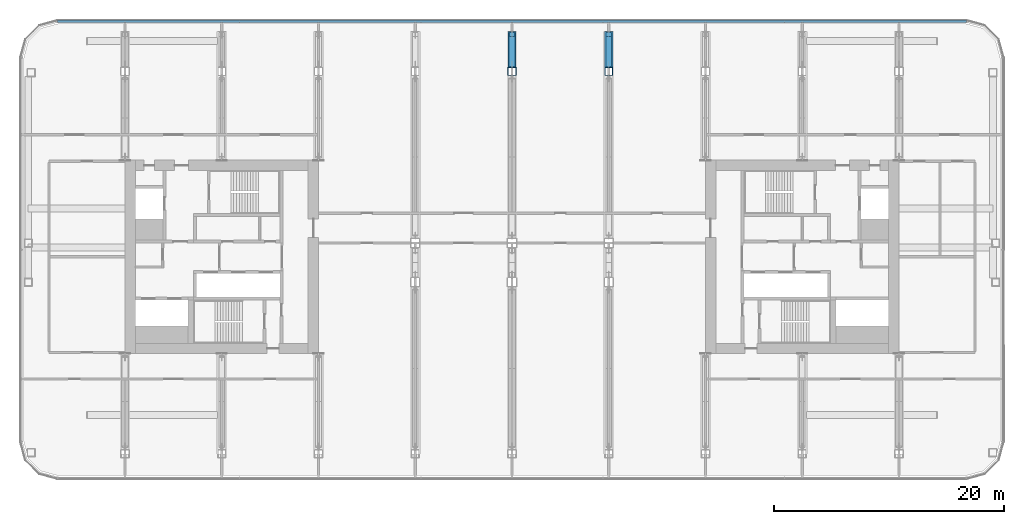
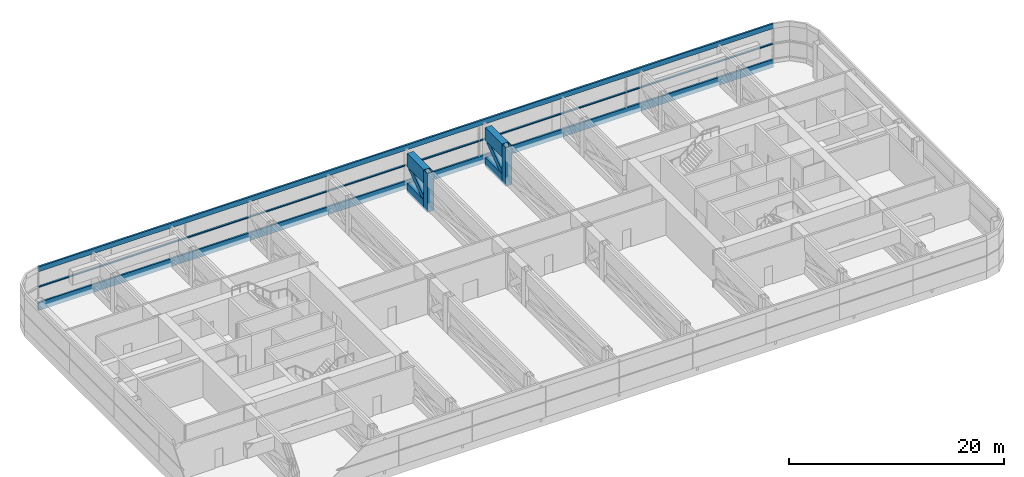
# One storey, part 9 of 33: 11 members, 1 element without a shape of its own.
"""IFC4 building model written with IfcOpenShell, lengths in metres."""

from ifc_helpers import new_model, si_unit, direction, frame, origin, origin_2d, place, context, subcontext, project, spatial, rectangle, hollow_rectangle, extrude, material, layer, layer_set, material_profile, profile_set, type_object, element, aggregate, save


model = new_model("IFC4")

# Units and contexts
model_context = context("Model", 3, precision=1e-05, world=origin(), true_north=direction((0.0, 1.0)))
body_context = subcontext(model_context, "Body", "Model", "MODEL_VIEW")
ifc_project = project(units=[si_unit("LENGTHUNIT", "METRE"), si_unit("AREAUNIT", "SQUARE_METRE"), si_unit("VOLUMEUNIT", "CUBIC_METRE"), si_unit("PLANEANGLEUNIT", "RADIAN"), si_unit("MASSUNIT", "GRAM", prefix="KILO")], contexts=[model_context])

# Site, building, storey
site_placement = place(None, origin())
site = spatial("IfcSite", under=ifc_project, at=site_placement, CompositionType="ELEMENT")
building_placement = place(site_placement, origin())
building = spatial("IfcBuilding", under=site, at=building_placement, Name="Hakoniwa Tower and Hamabe Station Hall", CompositionType="ELEMENT")
storey_placement = place(building_placement, frame((0.0, 0.0, 175.800048828125)))
storey = spatial("IfcBuildingStorey", under=building, at=storey_placement, Name="L50", CompositionType="ELEMENT", Elevation=175.800048828125)

# Curtain wall, members
ifc_material_1 = material(Name="Dark low-e laminated glass", Category="glass")
ifc_layer = layer(ifc_material_1, 0.199951171875)
ifc_layer_set = layer_set([ifc_layer], Name="CW-6 PLANT LOUVRE")
curtain_wall_type = type_object("IfcCurtainWallType", Name="CW-6 PLANT LOUVRE", PredefinedType="NOTDEFINED", material=ifc_layer_set)
curtain_wall_placement = place(storey_placement, origin())
curtain_wall = element("IfcCurtainWall", 1, at=curtain_wall_placement, inside=storey, type_object=curtain_wall_type, Name="CW-6 curtain wall", PredefinedType="NOTDEFINED")
ifc_material_2 = material(Name="Aluminium 6063-T5 black anodised", Category="aluminium")
ifc_material_profile_1 = material_profile(ifc_material_2, rectangle(XDim=0.199951171875, YDim=0.550048828125, at=origin_2d()), Name="CW HEAD BAND 550X200")
ifc_profile_set_1 = profile_set([ifc_material_profile_1], Name="Aluminium 6063-T5 black anodised")
member_type_1 = type_object("IfcMemberType", Name="CW HEAD BAND 550X200", PredefinedType="USERDEFINED", material=ifc_profile_set_1)
member_1_placement = place(storey_placement, frame((39.439453125, 20.449951171875, 4.125), z_axis=(-1.0, 0.0, 0.0), x_axis=(0.0, -1.0, 0.0)))
member_1 = element("IfcMember", 2, at=member_1_placement, type_object=member_type_1, Name="CW-6 transom", ObjectType="TRANSOM", PredefinedType="USERDEFINED", context=body_context, shape_type="SweptSolid", body=[
    extrude(rectangle(XDim=0.199951171875, YDim=0.550048828125, at=origin_2d()), origin(), (0.0, 0.0, 1.0), 78.87890625),
])
ifc_material_3 = material(Name="Aluminium 6063-T5 black anodised", Category="aluminium")
ifc_material_profile_2 = material_profile(ifc_material_3, rectangle(XDim=0.199951171875, YDim=0.1201171875, at=origin_2d()), Name="CW MID TRANSOM 120X200")
ifc_profile_set_2 = profile_set([ifc_material_profile_2], Name="Aluminium 6063-T5 black anodised")
member_type_2 = type_object("IfcMemberType", Name="CW MID TRANSOM 120X200", PredefinedType="USERDEFINED", material=ifc_profile_set_2)
member_2_placement = place(storey_placement, frame((39.439453125, 20.449951171875, 2.099853515625), z_axis=(-1.0, 0.0, 0.0), x_axis=(0.0, -1.0, 0.0)))
member_2 = element("IfcMember", 3, at=member_2_placement, type_object=member_type_2, Name="CW-6 transom", ObjectType="TRANSOM", PredefinedType="USERDEFINED", context=body_context, shape_type="SweptSolid", body=[
    extrude(rectangle(XDim=0.199951171875, YDim=0.1201171875, at=origin_2d()), origin(), (0.0, 0.0, 1.0), 78.87890625),
])
ifc_material_4 = material(Name="Aluminium 6063-T5 black anodised", Category="aluminium")
ifc_material_profile_3 = material_profile(ifc_material_4, rectangle(XDim=0.199951171875, YDim=0.89990234375, at=origin_2d()), Name="CW SLAB-EDGE BAND 900X200")
ifc_profile_set_3 = profile_set([ifc_material_profile_3], Name="Aluminium 6063-T5 black anodised")
member_type_3 = type_object("IfcMemberType", Name="CW SLAB-EDGE BAND 900X200", PredefinedType="USERDEFINED", material=ifc_profile_set_3)
member_3_placement = place(storey_placement, frame((39.439453125, 20.449951171875, -0.10009765625), z_axis=(-1.0, 0.0, 0.0), x_axis=(0.0, -1.0, 0.0)))
member_3 = element("IfcMember", 4, at=member_3_placement, type_object=member_type_3, Name="CW-6 transom", ObjectType="TRANSOM", PredefinedType="USERDEFINED", context=body_context, shape_type="SweptSolid", body=[
    extrude(rectangle(XDim=0.199951171875, YDim=0.89990234375, at=origin_2d()), origin(), (0.0, 0.0, 1.0), 78.87890625),
])
aggregate(curtain_wall, [member_3, member_2, member_1])

# Members
ifc_material_5 = material(Name="Steel SN490C", Category="steel")
ifc_material_profile_4 = material_profile(ifc_material_5, hollow_rectangle(XDim=0.699951171875, YDim=1.0, WallThickness=0.0400390625, at=origin_2d()), Name="BX-1000x700x40")
ifc_profile_set_4 = profile_set([ifc_material_profile_4], Name="Steel SN490C")
member_type_4 = type_object("IfcMemberType", Name="TRUSS CHORD BX-1000x700x40", PredefinedType="CHORD", material=ifc_profile_set_4)
for number, where, z_axis, x_axis, name in (
    (5, (0.0, 16.449951171875, 0.199951171875), (0.0, 1.0, 0.0), (-1.0, 0.0, 0.0), "Truss T3-12-BCH"),
    (6, (8.39990234375, 16.449951171875, 0.199951171875), (0.0, 1.0, 0.0), (-1.0, 0.0, 0.0), "Truss T3-13-BCH"),
):
    element("IfcMember", number, at=place(storey_placement, frame(where, z_axis=z_axis, x_axis=x_axis)), inside=storey, type_object=member_type_4, Name=name, PredefinedType="CHORD", context=body_context, shape_type="SweptSolid", body=[
        extrude(hollow_rectangle(XDim=0.699951171875, YDim=1.0, WallThickness=0.0400390625, at=origin_2d()), origin(), (0.0, 0.0, 1.0), 3.10009765625),
    ])
ifc_material_6 = material(Name="Steel SN490C", Category="steel")
ifc_material_profile_5 = material_profile(ifc_material_6, hollow_rectangle(XDim=0.699951171875, YDim=1.5, WallThickness=0.054931640625, at=origin_2d()), Name="BX-1500x700x55")
ifc_profile_set_5 = profile_set([ifc_material_profile_5], Name="Steel SN490C")
member_type_5 = type_object("IfcMemberType", Name="TRUSS CHORD BX-1500x700x55", PredefinedType="CHORD", material=ifc_profile_set_5)
for number, where, z_axis, x_axis, name in (
    (7, (0.0, 16.449951171875, 3.349853515625), (0.0, 1.0, 0.0), (-1.0, 0.0, 0.0), "Truss T3-12-TCH"),
    (8, (8.39990234375, 16.449951171875, 3.349853515625), (0.0, 1.0, 0.0), (-1.0, 0.0, 0.0), "Truss T3-13-TCH"),
):
    element("IfcMember", number, at=place(storey_placement, frame(where, z_axis=z_axis, x_axis=x_axis)), inside=storey, type_object=member_type_5, Name=name, PredefinedType="CHORD", context=body_context, shape_type="SweptSolid", body=[
        extrude(hollow_rectangle(XDim=0.699951171875, YDim=1.5, WallThickness=0.054931640625, at=origin_2d()), origin(), (0.0, 0.0, 1.0), 3.10009765625),
    ])
ifc_material_7 = material(Name="Steel SN490C", Category="steel")
ifc_material_profile_6 = material_profile(ifc_material_7, hollow_rectangle(XDim=0.5, YDim=0.60009765625, WallThickness=0.028076171875, at=origin_2d()), Name="BX-600x500x28")
ifc_profile_set_6 = profile_set([ifc_material_profile_6], Name="Steel SN490C")
member_type_6 = type_object("IfcMemberType", Name="TRUSS DIAGONAL BX-600x500x28", PredefinedType="BRACE", material=ifc_profile_set_6)
for number, where, z_axis, x_axis, name in (
    (9, (0.0, 16.699951171875, 0.699951171875), (0.0, 0.807416124708, 0.589982373942), (-1.0, 0.0, 0.0), "Truss T3-12-DHa"),
    (10, (8.39990234375, 16.699951171875, 0.699951171875), (0.0, 0.807416124708, 0.589982373942), (-1.0, 0.0, 0.0), "Truss T3-13-DHa"),
):
    element("IfcMember", number, at=place(storey_placement, frame(where, z_axis=z_axis, x_axis=x_axis)), inside=storey, type_object=member_type_6, Name=name, PredefinedType="BRACE", context=body_context, shape_type="SweptSolid", body=[
        extrude(hollow_rectangle(XDim=0.5, YDim=0.60009765625, WallThickness=0.028076171875, at=origin_2d()), origin(), (0.0, 0.0, 1.0), 3.22021484375),
    ])
ifc_material_8 = material(Name="Steel SN490C", Category="steel")
ifc_material_profile_7 = material_profile(ifc_material_8, hollow_rectangle(XDim=0.699951171875, YDim=0.699951171875, WallThickness=0.028076171875, at=origin_2d()), Name="BX-700x700x28")
ifc_profile_set_7 = profile_set([ifc_material_profile_7], Name="Steel SN490C")
member_type_7 = type_object("IfcMemberType", Name="TRUSS POST BX-700x700x28", PredefinedType="POST", material=ifc_profile_set_7)
for number, where, z_axis, x_axis, name in (
    (11, (0.0, 16.10009765625, -0.300048828125), (0.0, 0.0, 1.0), (1.0, 0.0, 0.0), "Truss T3-12-P04"),
    (12, (8.39990234375, 16.10009765625, -0.300048828125), (0.0, 0.0, 1.0), (1.0, 0.0, 0.0), "Truss T3-13-P04"),
):
    element("IfcMember", number, at=place(storey_placement, frame(where, z_axis=z_axis, x_axis=x_axis)), inside=storey, type_object=member_type_7, Name=name, PredefinedType="POST", context=body_context, shape_type="SweptSolid", body=[
        extrude(hollow_rectangle(XDim=0.699951171875, YDim=0.699951171875, WallThickness=0.028076171875, at=origin_2d()), origin(), (0.0, 0.0, 1.0), 4.39990234375),
    ])

save(model, "model.ifc")
